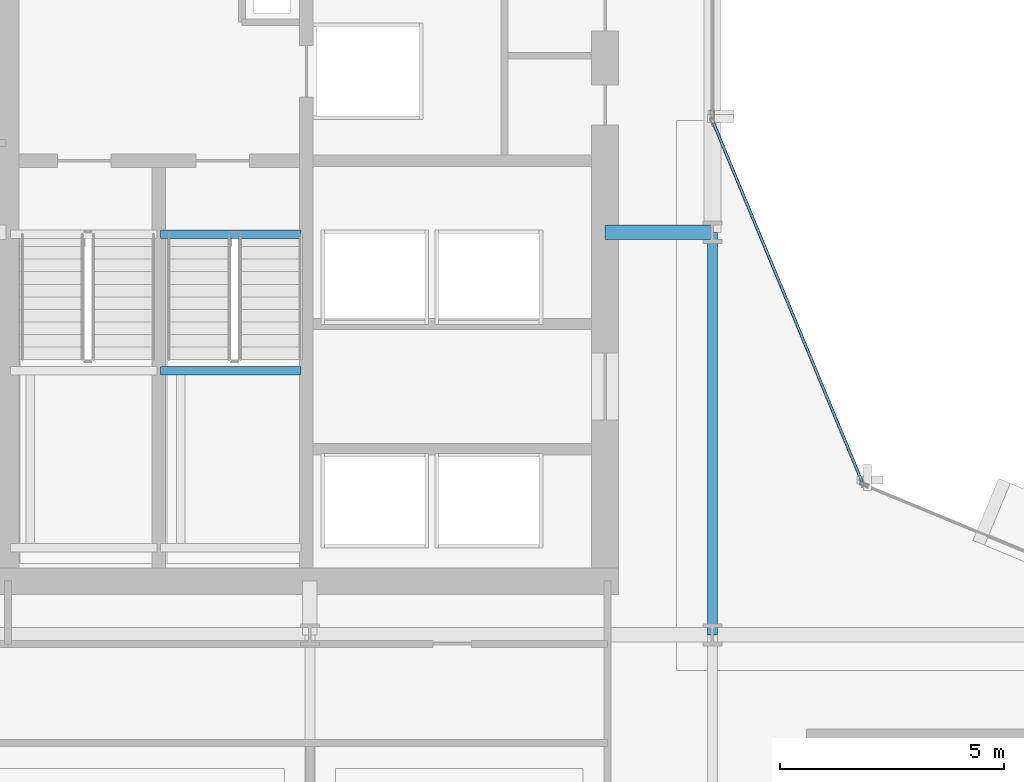
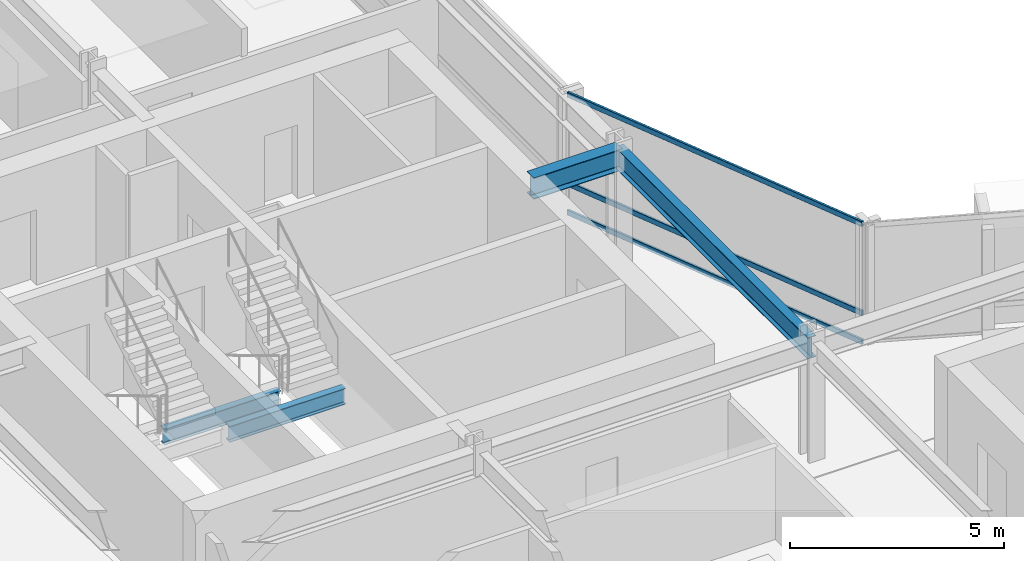
# One storey, part 20 of 34: 4 beams, 3 members, 1 element without a shape of its own.
"""IFC4 building model written with IfcOpenShell, lengths in metres."""

from ifc_helpers import new_model, si_unit, direction, frame, origin, origin_2d, place, context, subcontext, project, spatial, hollow_rectangle, i_section, extrude, material, layer, layer_set, material_profile, profile_set, type_object, element, aggregate, save


model = new_model("IFC4")

# Units and contexts
model_context = context("Model", 3, precision=1e-05, world=origin(), true_north=direction((0.0, 1.0)))
body_context = subcontext(model_context, "Body", "Model", "MODEL_VIEW")
ifc_project = project(units=[si_unit("LENGTHUNIT", "METRE"), si_unit("AREAUNIT", "SQUARE_METRE"), si_unit("VOLUMEUNIT", "CUBIC_METRE"), si_unit("PLANEANGLEUNIT", "RADIAN"), si_unit("MASSUNIT", "GRAM", prefix="KILO")], contexts=[model_context])

# Site, building, storey
site_placement = place(None, origin())
site = spatial("IfcSite", under=ifc_project, at=site_placement, CompositionType="ELEMENT")
building_placement = place(site_placement, origin())
building = spatial("IfcBuilding", under=site, at=building_placement, Name="Solvaryn Broadcast Tower", CompositionType="ELEMENT")
storey_placement = place(building_placement, frame((0.0, 0.0, 65.60009765625)))
storey = spatial("IfcBuildingStorey", under=building, at=storey_placement, Name="L15", CompositionType="ELEMENT", Elevation=65.60009765625)

# Beams
ifc_material_1 = material(Name="Steel ASTM A992 Grade 50", Category="steel")
ifc_material_profile_1 = material_profile(ifc_material_1, i_section(OverallWidth=0.323974609375, OverallDepth=0.611083984375, WebThickness=0.0126953125, FlangeThickness=0.01904296875, FilletRadius=0.014892578125, at=origin_2d()))
ifc_profile_set_1 = profile_set([ifc_material_profile_1], Name="Steel ASTM A992 Grade 50")
beam_type_1 = type_object("IfcBeamType", Name="BM-B1-W24X104", PredefinedType="BEAM", material=ifc_profile_set_1)
beam_1_placement = place(storey_placement, frame((24.60009765625, 36.0, 3.114501953125), z_axis=(1.0, 0.0, 0.0), x_axis=(0.0, 1.0, 0.0)))
element("IfcBeam", 1, at=beam_1_placement, inside=storey, type_object=beam_type_1, Name="L15 Core Tie Beam CTW2", PredefinedType="BEAM", context=body_context, shape_type="SweptSolid", body=[
    extrude(i_section(OverallWidth=0.323974609375, OverallDepth=0.611083984375, WebThickness=0.0126953125, FlangeThickness=0.01904296875, FilletRadius=0.014892578125, at=origin_2d()), origin(), (0.0, 0.0, 1.0), 2.39990234375),
])
ifc_material_2 = material(Name="Steel ASTM A992 Grade 50", Category="steel")
ifc_material_profile_2 = material_profile(ifc_material_2, i_section(OverallWidth=0.22802734375, OverallDepth=0.60791015625, WebThickness=0.01123046875, FlangeThickness=0.017333984375, FilletRadius=0.014892578125, at=origin_2d()))
ifc_profile_set_2 = profile_set([ifc_material_profile_2], Name="Steel ASTM A992 Grade 50")
beam_type_2 = type_object("IfcBeamType", Name="BM-B2-W24X76", PredefinedType="BEAM", material=ifc_profile_set_2)
beam_2_placement = place(storey_placement, frame((27.0, 27.0, 3.115966796875), z_axis=(0.0, 1.0, 0.0), x_axis=(-1.0, 0.0, 0.0)))
element("IfcBeam", 2, at=beam_2_placement, inside=storey, type_object=beam_type_2, Name="L15 Primary Beam Y (27-36 @ X=27)", PredefinedType="BEAM", context=body_context, shape_type="SweptSolid", body=[
    extrude(i_section(OverallWidth=0.22802734375, OverallDepth=0.60791015625, WebThickness=0.01123046875, FlangeThickness=0.017333984375, FilletRadius=0.014892578125, at=origin_2d()), origin(), (0.0, 0.0, 1.0), 9.0),
])
ifc_material_3 = material(Name="Steel ASTM A992 Grade 50", Category="steel")
ifc_material_profile_3 = material_profile(ifc_material_3, i_section(OverallWidth=0.18994140625, OverallDepth=0.45703125, WebThickness=0.009033203125, FlangeThickness=0.014404296875, FilletRadius=0.011962890625, at=origin_2d()))
ifc_profile_set_3 = profile_set([ifc_material_profile_3], Name="Steel ASTM A992 Grade 50")
beam_type_3 = type_object("IfcBeamType", Name="BM-B4-W18X50", PredefinedType="BEAM", material=ifc_profile_set_3)
for number, where, z_axis, x_axis, name in (
    (3, (14.659912109375, 35.9599609375, -0.508544921875), (1.0, 0.0, 0.0), (0.0, 1.0, 0.0), "L15 ST2 Stair Well Trimmer Beam"),
    (4, (14.659912109375, 32.909912109375, 1.42138671875), (1.0, 0.0, 0.0), (0.0, 1.0, 0.0), "L15 ST2 Landing Support Beam 1B"),
):
    element("IfcBeam", number, at=place(storey_placement, frame(where, z_axis=z_axis, x_axis=x_axis)), inside=storey, type_object=beam_type_3, Name=name, PredefinedType="BEAM", context=body_context, shape_type="SweptSolid", body=[
        extrude(i_section(OverallWidth=0.18994140625, OverallDepth=0.45703125, WebThickness=0.009033203125, FlangeThickness=0.014404296875, FilletRadius=0.011962890625, at=origin_2d()), origin(), (0.0, 0.0, 1.0), 3.14013671875),
    ])

# Curtain wall, members
ifc_material_4 = material(Name="Aluminium and Terracotta Unitised Curtain Wall", Category="masonry")
ifc_layer = layer(ifc_material_4, 0.199951171875)
ifc_layer_set = layer_set([ifc_layer], Name="CW-SYS2-LOWMID")
curtain_wall_type = type_object("IfcCurtainWallType", Name="CW-SYS2-LOWMID", PredefinedType="NOTDEFINED", material=ifc_layer_set)
curtain_wall_placement = place(storey_placement, origin())
curtain_wall = element("IfcCurtainWall", 5, at=curtain_wall_placement, inside=storey, type_object=curtain_wall_type, Name="L15 Curtain Wall CN2", PredefinedType="NOTDEFINED")
ifc_material_5 = material(Name="Anodised Aluminium 6063-T6", Category="aluminium")
ifc_material_profile_4 = material_profile(ifc_material_5, hollow_rectangle(XDim=0.06494140625, YDim=0.14990234375, WallThickness=0.00390625, InnerFilletRadius=0.00390625, OuterFilletRadius=0.008056640625, at=origin_2d()))
ifc_profile_set_4 = profile_set([ifc_material_profile_4], Name="Anodised Aluminium 6063-T6")
member_type = type_object("IfcMemberType", Name="CW-TRN-150", PredefinedType="USERDEFINED", material=ifc_profile_set_4)
member_1_placement = place(storey_placement, frame((30.344970703125, 30.42333984375, 0.02978515625), z_axis=(-0.382635748975, 0.923899282177, 0.0), x_axis=(-0.923899282177, -0.382635748975, 0.0)))
member_1 = element("IfcMember", 6, at=member_1_placement, type_object=member_type, Name="CWS2 transom 1.1", ObjectType="TRANSOM", PredefinedType="USERDEFINED", context=body_context, shape_type="SweptSolid", body=[
    extrude(hollow_rectangle(XDim=0.06494140625, YDim=0.14990234375, WallThickness=0.00390625, InnerFilletRadius=0.00390625, OuterFilletRadius=0.008056640625, at=origin_2d()), origin(), (0.0, 0.0, 1.0), 8.681884765625),
])
member_2_placement = place(storey_placement, frame((30.344970703125, 30.42333984375, 0.849853515625), z_axis=(-0.382635748975, 0.923899282177, 0.0), x_axis=(-0.923899282177, -0.382635748975, 0.0)))
member_2 = element("IfcMember", 7, at=member_2_placement, type_object=member_type, Name="CWS2 transom 1.2", ObjectType="TRANSOM", PredefinedType="USERDEFINED", context=body_context, shape_type="SweptSolid", body=[
    extrude(hollow_rectangle(XDim=0.06494140625, YDim=0.14990234375, WallThickness=0.00390625, InnerFilletRadius=0.00390625, OuterFilletRadius=0.008056640625, at=origin_2d()), origin(), (0.0, 0.0, 1.0), 8.681884765625),
])
member_3_placement = place(storey_placement, frame((30.344970703125, 30.42333984375, 3.389892578125), z_axis=(-0.382635748975, 0.923899282177, 0.0), x_axis=(-0.923899282177, -0.382635748975, 0.0)))
member_3 = element("IfcMember", 8, at=member_3_placement, type_object=member_type, Name="CWS2 transom 1.3", ObjectType="TRANSOM", PredefinedType="USERDEFINED", context=body_context, shape_type="SweptSolid", body=[
    extrude(hollow_rectangle(XDim=0.06494140625, YDim=0.14990234375, WallThickness=0.00390625, InnerFilletRadius=0.00390625, OuterFilletRadius=0.008056640625, at=origin_2d()), origin(), (0.0, 0.0, 1.0), 8.681884765625),
])
aggregate(curtain_wall, [member_1, member_2, member_3])

save(model, "model.ifc")
